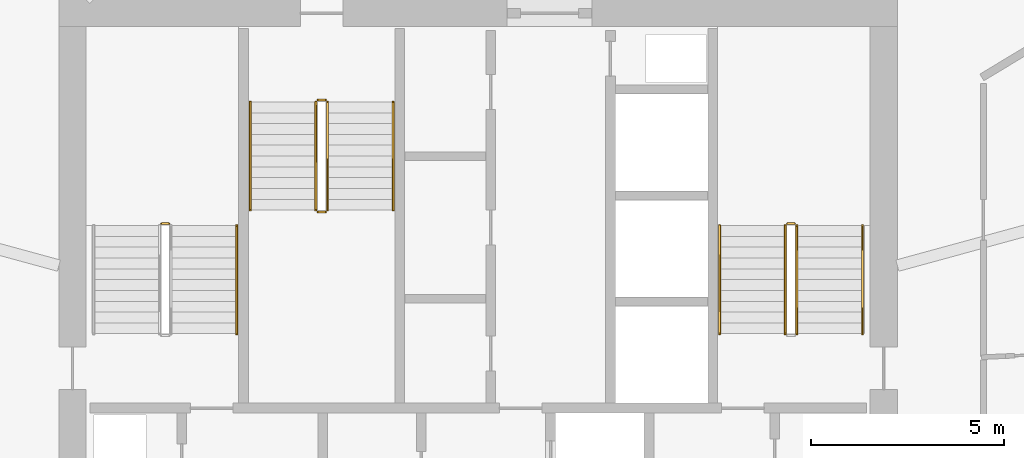
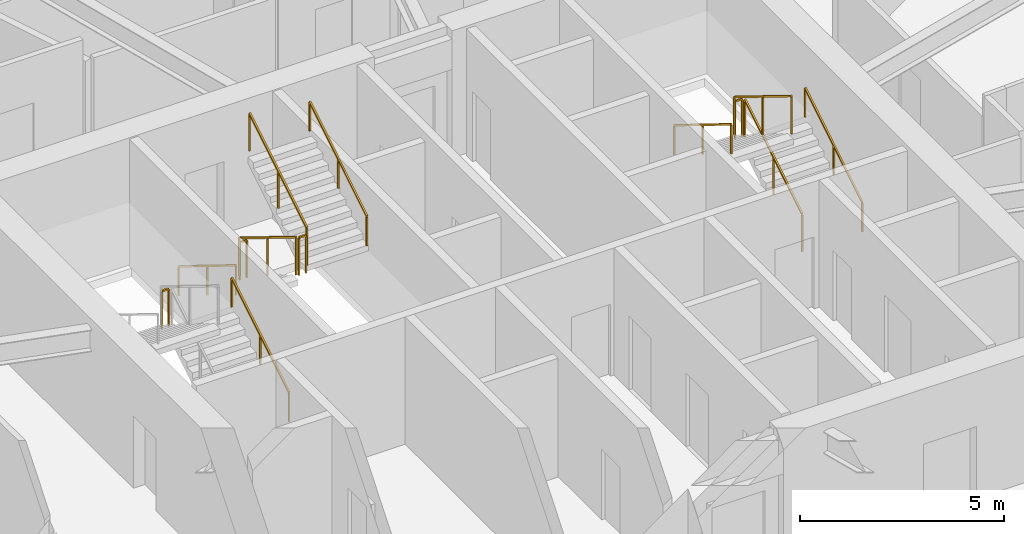
# One storey, part 28 of 28: 13 railings.
"""IFC4 building model written with IfcOpenShell, lengths in metres."""

from ifc_helpers import new_model, si_unit, direction, frame, origin, origin_2d, place, context, subcontext, project, spatial, rectangle, extrude, material, type_object, element, save


model = new_model("IFC4")

# Units and contexts
model_context = context("Model", 3, precision=1e-05, world=origin(), true_north=direction((0.0, 1.0)))
body_context = subcontext(model_context, "Body", "Model", "MODEL_VIEW")
ifc_project = project(units=[si_unit("LENGTHUNIT", "METRE"), si_unit("AREAUNIT", "SQUARE_METRE"), si_unit("VOLUMEUNIT", "CUBIC_METRE"), si_unit("PLANEANGLEUNIT", "RADIAN"), si_unit("MASSUNIT", "GRAM", prefix="KILO")], contexts=[model_context])

# Site, building, storey
site_placement = place(None, origin())
site = spatial("IfcSite", under=ifc_project, at=site_placement, CompositionType="ELEMENT")
building_placement = place(site_placement, origin())
building = spatial("IfcBuilding", under=site, at=building_placement, Name="Zuhravey Tower", CompositionType="ELEMENT")
storey_placement = place(building_placement, frame((0.0, 0.0, 199.800048828125)))
storey = spatial("IfcBuildingStorey", under=building, at=storey_placement, Name="L50", CompositionType="ELEMENT", Elevation=199.800048828125)

# Railings
ifc_material_1 = material(Name="Brushed stainless steel", Category="steel")
railing_type_1 = type_object("IfcRailingType", Name="Stair Wall Handrail 900", PredefinedType="HANDRAIL", material=ifc_material_1)
for number, where, name in (
    (1, (29.75, 33.199951171875, 0.172607421875), "L50 ST1 stair handrail 1"),
    (2, (45.949951171875, 33.199951171875, 0.172607421875), "L50 ST2 stair handrail 1"),
):
    element("IfcRailing", number, at=place(storey_placement, frame(where)), inside=storey, type_object=railing_type_1, Name=name, PredefinedType="HANDRAIL", context=body_context, shape_type="SweptSolid", body=[
        extrude(rectangle(XDim=0.048095703125, YDim=0.048095703125, at=origin_2d()), frame((0.0, 0.001708984375, 0.876953125), z_axis=(0.0, 0.851089632645, 0.525020415988), x_axis=(-1.0, 0.0, 0.0)), (0.0, 0.0, 1.0), 3.285888671875),
        extrude(rectangle(XDim=0.0419921875, YDim=0.0419921875, at=origin_2d()), origin(), (0.0, 0.0, 1.0), 0.849853515625),
        extrude(rectangle(XDim=0.0419921875, YDim=0.0419921875, at=origin_2d()), frame((0.0, 1.39990234375, 0.86376953125)), (0.0, 0.0, 1.0), 0.849853515625),
        extrude(rectangle(XDim=0.0419921875, YDim=0.0419921875, at=origin_2d()), frame((0.0, 2.800048828125, 1.727294921875)), (0.0, 0.0, 1.0), 0.849853515625),
    ])
for number, where, name in (
    (3, (42.25, 36.0, 2.07275390625), "L50 ST2 stair handrail 2"),
    (4, (30.10009765625, 39.199951171875, 0.172607421875), "L50 ST3 stair handrail 1"),
):
    element("IfcRailing", number, at=place(storey_placement, frame(where)), inside=storey, type_object=railing_type_1, Name=name, PredefinedType="HANDRAIL", context=body_context, shape_type="SweptSolid", body=[
        extrude(rectangle(XDim=0.048095703125, YDim=0.048095703125, at=origin_2d()), frame((0.0, -0.001708984375, 0.876953125), z_axis=(0.0, -0.851089632645, 0.525020415988), x_axis=(1.0, 0.0, 0.0)), (0.0, 0.0, 1.0), 3.285888671875),
        extrude(rectangle(XDim=0.0419921875, YDim=0.0419921875, at=origin_2d()), origin(), (0.0, 0.0, 1.0), 0.849853515625),
        extrude(rectangle(XDim=0.0419921875, YDim=0.0419921875, at=origin_2d()), frame((0.0, -1.39990234375, 0.86376953125)), (0.0, 0.0, 1.0), 0.849853515625),
        extrude(rectangle(XDim=0.0419921875, YDim=0.0419921875, at=origin_2d()), frame((0.0, -2.800048828125, 1.727294921875)), (0.0, 0.0, 1.0), 0.849853515625),
    ])
railing_1_placement = place(storey_placement, frame((33.800048828125, 36.39990234375, 2.07275390625)))
element("IfcRailing", 5, at=railing_1_placement, inside=storey, type_object=railing_type_1, Name="L50 ST3 stair handrail 2", PredefinedType="HANDRAIL", context=body_context, shape_type="SweptSolid", body=[
    extrude(rectangle(XDim=0.048095703125, YDim=0.048095703125, at=origin_2d()), frame((0.0, 0.001708984375, 0.876953125), z_axis=(0.0, 0.851089632645, 0.525020415988), x_axis=(-1.0, 0.0, 0.0)), (0.0, 0.0, 1.0), 3.285888671875),
    extrude(rectangle(XDim=0.0419921875, YDim=0.0419921875, at=origin_2d()), origin(), (0.0, 0.0, 1.0), 0.849853515625),
    extrude(rectangle(XDim=0.0419921875, YDim=0.0419921875, at=origin_2d()), frame((0.0, 1.39990234375, 0.86376953125)), (0.0, 0.0, 1.0), 0.849853515625),
    extrude(rectangle(XDim=0.0419921875, YDim=0.0419921875, at=origin_2d()), frame((0.0, 2.800048828125, 1.727294921875)), (0.0, 0.0, 1.0), 0.849853515625),
])
ifc_material_2 = material(Name="Painted tubular steel", Category="steel")
railing_type_2 = type_object("IfcRailingType", Name="Stair Well Guardrail 1150", PredefinedType="GUARDRAIL", material=ifc_material_2)
railing_2_placement = place(storey_placement, frame((28.0, 36.050048828125, 1.89990234375)))
element("IfcRailing", 6, at=railing_2_placement, inside=storey, type_object=railing_type_2, Name="L50 ST1 stair guard 2", PredefinedType="GUARDRAIL", context=body_context, shape_type="SweptSolid", body=[
    extrude(rectangle(XDim=0.048095703125, YDim=0.048095703125, at=origin_2d()), frame((-0.001953125, 0.0, 1.1259765625), z_axis=(-1.0, 0.0, 0.0), x_axis=(0.0, -1.0, 0.0)), (0.0, 0.0, 1.0), 0.196044921875),
    extrude(rectangle(XDim=0.0419921875, YDim=0.0419921875, at=origin_2d()), origin(), (0.0, 0.0, 1.0), 1.099853515625),
    extrude(rectangle(XDim=0.0419921875, YDim=0.0419921875, at=origin_2d()), frame((-0.199951171875, 0.0, 0.0)), (0.0, 0.0, 1.0), 1.099853515625),
])
railing_3_placement = place(storey_placement, frame((44.25, 33.199951171875, 0.172607421875)))
element("IfcRailing", 7, at=railing_3_placement, inside=storey, type_object=railing_type_2, Name="L50 ST2 stair guard 1", PredefinedType="GUARDRAIL", context=body_context, shape_type="SweptSolid", body=[
    extrude(rectangle(XDim=0.048095703125, YDim=0.048095703125, at=origin_2d()), frame((0.0, 0.001708984375, 1.126953125), z_axis=(0.0, 0.851089632645, 0.525020415988), x_axis=(-1.0, 0.0, 0.0)), (0.0, 0.0, 1.0), 3.285888671875),
    extrude(rectangle(XDim=0.0419921875, YDim=0.0419921875, at=origin_2d()), origin(), (0.0, 0.0, 1.0), 1.099853515625),
    extrude(rectangle(XDim=0.0419921875, YDim=0.0419921875, at=origin_2d()), frame((0.0, 1.39990234375, 0.86376953125)), (0.0, 0.0, 1.0), 1.099853515625),
    extrude(rectangle(XDim=0.0419921875, YDim=0.0419921875, at=origin_2d()), frame((0.0, 2.800048828125, 1.727294921875)), (0.0, 0.0, 1.0), 1.099853515625),
])
railing_4_placement = place(storey_placement, frame((44.199951171875, 36.050048828125, 1.89990234375)))
element("IfcRailing", 8, at=railing_4_placement, inside=storey, type_object=railing_type_2, Name="L50 ST2 stair guard 2", PredefinedType="GUARDRAIL", context=body_context, shape_type="SweptSolid", body=[
    extrude(rectangle(XDim=0.048095703125, YDim=0.048095703125, at=origin_2d()), frame((-0.001953125, 0.0, 1.1259765625), z_axis=(-1.0, 0.0, 0.0), x_axis=(0.0, -1.0, 0.0)), (0.0, 0.0, 1.0), 0.196044921875),
    extrude(rectangle(XDim=0.0419921875, YDim=0.0419921875, at=origin_2d()), origin(), (0.0, 0.0, 1.0), 1.099853515625),
    extrude(rectangle(XDim=0.0419921875, YDim=0.0419921875, at=origin_2d()), frame((-0.199951171875, 0.0, 0.0)), (0.0, 0.0, 1.0), 1.099853515625),
])
for number, where, name in (
    (9, (43.949951171875, 36.0, 2.07275390625), "L50 ST2 stair guard 3"),
    (10, (31.800048828125, 39.199951171875, 0.172607421875), "L50 ST3 stair guard 1"),
):
    element("IfcRailing", number, at=place(storey_placement, frame(where)), inside=storey, type_object=railing_type_2, Name=name, PredefinedType="GUARDRAIL", context=body_context, shape_type="SweptSolid", body=[
        extrude(rectangle(XDim=0.048095703125, YDim=0.048095703125, at=origin_2d()), frame((0.0, -0.001708984375, 1.126953125), z_axis=(0.0, -0.851089632645, 0.525020415988), x_axis=(1.0, 0.0, 0.0)), (0.0, 0.0, 1.0), 3.285888671875),
        extrude(rectangle(XDim=0.0419921875, YDim=0.0419921875, at=origin_2d()), origin(), (0.0, 0.0, 1.0), 1.099853515625),
        extrude(rectangle(XDim=0.0419921875, YDim=0.0419921875, at=origin_2d()), frame((0.0, -1.39990234375, 0.86376953125)), (0.0, 0.0, 1.0), 1.099853515625),
        extrude(rectangle(XDim=0.0419921875, YDim=0.0419921875, at=origin_2d()), frame((0.0, -2.800048828125, 1.727294921875)), (0.0, 0.0, 1.0), 1.099853515625),
    ])
railing_5_placement = place(storey_placement, frame((31.85009765625, 36.35009765625, 1.89990234375)))
element("IfcRailing", 11, at=railing_5_placement, inside=storey, type_object=railing_type_2, Name="L50 ST3 stair guard 2", PredefinedType="GUARDRAIL", context=body_context, shape_type="SweptSolid", body=[
    extrude(rectangle(XDim=0.048095703125, YDim=0.048095703125, at=origin_2d()), frame((0.001953125, 0.0, 1.1259765625), z_axis=(1.0, 0.0, 0.0), x_axis=(0.0, 1.0, 0.0)), (0.0, 0.0, 1.0), 0.196044921875),
    extrude(rectangle(XDim=0.0419921875, YDim=0.0419921875, at=origin_2d()), origin(), (0.0, 0.0, 1.0), 1.099853515625),
    extrude(rectangle(XDim=0.0419921875, YDim=0.0419921875, at=origin_2d()), frame((0.199951171875, 0.0, 0.0)), (0.0, 0.0, 1.0), 1.099853515625),
])
railing_6_placement = place(storey_placement, frame((32.10009765625, 36.39990234375, 2.07275390625)))
element("IfcRailing", 12, at=railing_6_placement, inside=storey, type_object=railing_type_2, Name="L50 ST3 stair guard 3", PredefinedType="GUARDRAIL", context=body_context, shape_type="SweptSolid", body=[
    extrude(rectangle(XDim=0.048095703125, YDim=0.048095703125, at=origin_2d()), frame((0.0, 0.001708984375, 1.126953125), z_axis=(0.0, 0.851089632645, 0.525020415988), x_axis=(-1.0, 0.0, 0.0)), (0.0, 0.0, 1.0), 3.285888671875),
    extrude(rectangle(XDim=0.0419921875, YDim=0.0419921875, at=origin_2d()), origin(), (0.0, 0.0, 1.0), 1.099853515625),
    extrude(rectangle(XDim=0.0419921875, YDim=0.0419921875, at=origin_2d()), frame((0.0, 1.39990234375, 0.86376953125)), (0.0, 0.0, 1.0), 1.099853515625),
    extrude(rectangle(XDim=0.0419921875, YDim=0.0419921875, at=origin_2d()), frame((0.0, 2.800048828125, 1.727294921875)), (0.0, 0.0, 1.0), 1.099853515625),
])
railing_7_placement = place(storey_placement, frame((31.85009765625, 39.25, 0.0)))
element("IfcRailing", 13, at=railing_7_placement, inside=storey, type_object=railing_type_2, Name="L50 ST3 stair guard 4", PredefinedType="GUARDRAIL", context=body_context, shape_type="SweptSolid", body=[
    extrude(rectangle(XDim=0.048095703125, YDim=0.048095703125, at=origin_2d()), frame((0.001953125, 0.0, 1.1259765625), z_axis=(1.0, 0.0, 0.0), x_axis=(0.0, 1.0, 0.0)), (0.0, 0.0, 1.0), 0.196044921875),
    extrude(rectangle(XDim=0.0419921875, YDim=0.0419921875, at=origin_2d()), origin(), (0.0, 0.0, 1.0), 1.099853515625),
    extrude(rectangle(XDim=0.0419921875, YDim=0.0419921875, at=origin_2d()), frame((0.199951171875, 0.0, 0.0)), (0.0, 0.0, 1.0), 1.099853515625),
])

save(model, "model.ifc")
